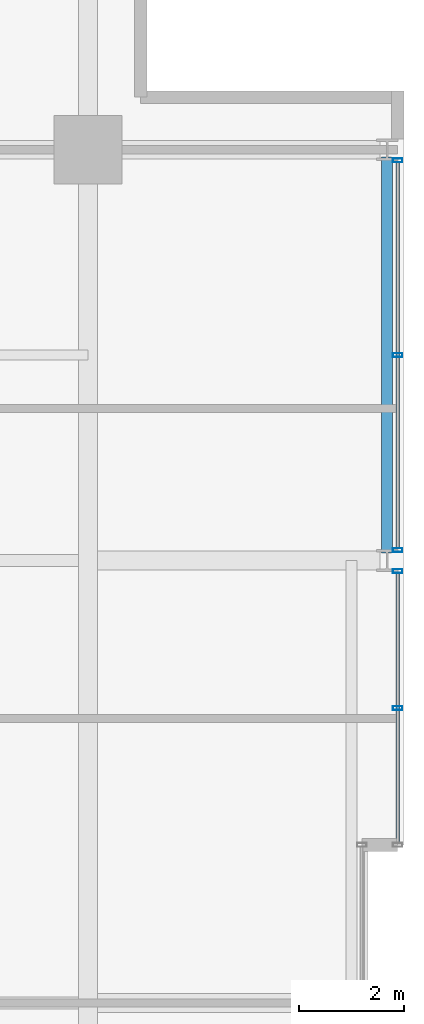
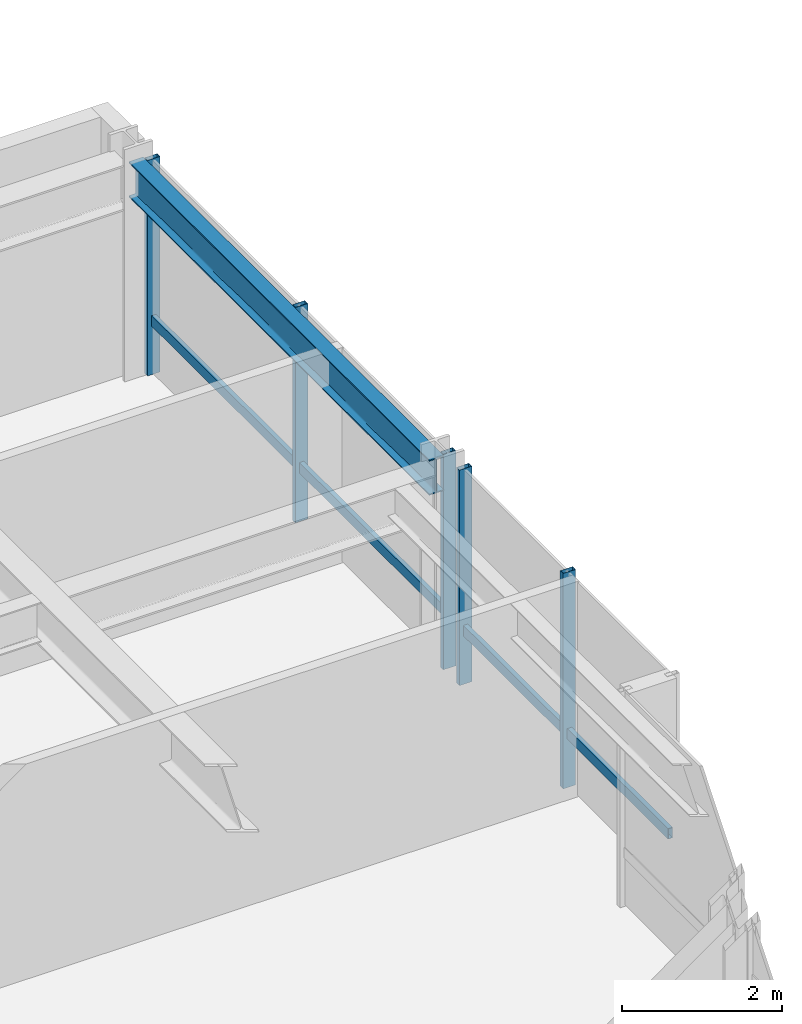
# One storey, part 23 of 33: 7 members, 1 beam, 2 elements without a shape of their own.
"""IFC4 building model written with IfcOpenShell, lengths in metres."""

from ifc_helpers import new_model, si_unit, direction, frame, origin, origin_2d, place, context, subcontext, project, spatial, hollow_rectangle, i_section, extrude, material, layer, layer_set, material_profile, profile_set, type_object, element, aggregate, save


model = new_model("IFC4")

# Units and contexts
model_context = context("Model", 3, precision=1e-05, world=origin(), true_north=direction((0.0, 1.0)))
body_context = subcontext(model_context, "Body", "Model", "MODEL_VIEW")
ifc_project = project(units=[si_unit("LENGTHUNIT", "METRE"), si_unit("AREAUNIT", "SQUARE_METRE"), si_unit("VOLUMEUNIT", "CUBIC_METRE"), si_unit("PLANEANGLEUNIT", "RADIAN"), si_unit("MASSUNIT", "GRAM", prefix="KILO")], contexts=[model_context])

# Site, building, storey
site_placement = place(None, origin())
site = spatial("IfcSite", under=ifc_project, at=site_placement, CompositionType="ELEMENT")
building_placement = place(site_placement, origin())
building = spatial("IfcBuilding", under=site, at=building_placement, Name="Drelvath Grand Hotel", CompositionType="ELEMENT")
storey_placement = place(building_placement, frame((0.0, 0.0, 153.949951171875)))
storey = spatial("IfcBuildingStorey", under=building, at=storey_placement, Name="L39", CompositionType="ELEMENT", Elevation=153.949951171875)

# Curtain wall, member
ifc_material_1 = material(Name="Brushed Pale-Silver Anodised Aluminium Frame", Category="aluminium")
ifc_layer = layer(ifc_material_1, 0.199951171875)
ifc_layer_set = layer_set([ifc_layer], Name="Brushed Pale-Silver Anodised Aluminium Frame")
curtain_wall_type = type_object("IfcCurtainWallType", Name="Stick Curtain Wall CW-04 Brushed Silver Upper-Mid", PredefinedType="NOTDEFINED", material=ifc_layer_set)
curtain_wall_1_placement = place(storey_placement, origin())
curtain_wall_1 = element("IfcCurtainWall", 1, at=curtain_wall_1_placement, inside=storey, type_object=curtain_wall_type, Name="L39 CW-04 Curtain Wall CW04-L39-EN1", PredefinedType="NOTDEFINED")
ifc_material_profile_1 = material_profile(ifc_material_1, hollow_rectangle(XDim=0.06494140625, YDim=0.159912109375, WallThickness=0.00390625, at=origin_2d()), Name="HSS160X65X4")
ifc_profile_set_1 = profile_set([ifc_material_profile_1], Name="Brushed Pale-Silver Anodised Aluminium Frame")
member_type_1 = type_object("IfcMemberType", Name="Curtain Wall Horizontal Transom CW-04 HSS160X65X4", PredefinedType="USERDEFINED", material=ifc_profile_set_1)
member_1_placement = place(storey_placement, frame((22.080078125, 35.159912109375, 0.822509765625), z_axis=(0.0, -1.0, 0.0), x_axis=(1.0, 0.0, 0.0)))
member_1 = element("IfcMember", 2, at=member_1_placement, type_object=member_type_1, Name="CW04-L39-EN1 Sill Transom", ObjectType="TRANSOM", PredefinedType="USERDEFINED", context=body_context, shape_type="SweptSolid", body=[
    extrude(hollow_rectangle(XDim=0.06494140625, YDim=0.159912109375, WallThickness=0.00390625, at=origin_2d()), origin(), (0.0, 0.0, 1.0), 5.119873046875),
])

curtain_wall_2_placement = place(storey_placement, origin())
curtain_wall_2 = element("IfcCurtainWall", 3, at=curtain_wall_2_placement, inside=storey, type_object=curtain_wall_type, Name="L39 CW-04 Curtain Wall CW04-L39-EN2", PredefinedType="NOTDEFINED")
member_2_placement = place(storey_placement, frame((22.080078125, 42.9599609375, 0.822509765625), z_axis=(0.0, -1.0, 0.0), x_axis=(1.0, 0.0, 0.0)))
member_2 = element("IfcMember", 4, at=member_2_placement, type_object=member_type_1, Name="CW04-L39-EN2 Sill Transom", ObjectType="TRANSOM", PredefinedType="USERDEFINED", context=body_context, shape_type="SweptSolid", body=[
    extrude(hollow_rectangle(XDim=0.06494140625, YDim=0.159912109375, WallThickness=0.00390625, at=origin_2d()), origin(), (0.0, 0.0, 1.0), 7.320068359375),
])

# Member
ifc_material_profile_2 = material_profile(ifc_material_1, hollow_rectangle(XDim=0.074951171875, YDim=0.179931640625, WallThickness=0.0048828125, at=origin_2d()), Name="HSS180X75X5")
ifc_profile_set_2 = profile_set([ifc_material_profile_2], Name="Brushed Pale-Silver Anodised Aluminium Frame")
member_type_2 = type_object("IfcMemberType", Name="Curtain Wall Vertical Mullion CW-04 HSS180X75X5", PredefinedType="MULLION", material=ifc_profile_set_2)
member_3_placement = place(storey_placement, frame((22.080078125, 35.199951171875, 0.0), z_axis=(0.0, 0.0, 1.0), x_axis=(0.0, 1.0, 0.0)))
member_3 = element("IfcMember", 5, at=member_3_placement, type_object=member_type_2, Name="CW04-L39-EN1 Mullion 1", PredefinedType="MULLION", context=body_context, shape_type="SweptSolid", body=[
    extrude(hollow_rectangle(XDim=0.074951171875, YDim=0.179931640625, WallThickness=0.0048828125, at=origin_2d()), origin(), (0.0, 0.0, 1.0), 3.2900390625),
])

member_4_placement = place(storey_placement, frame((22.080078125, 32.60009765625, 0.0), z_axis=(0.0, 0.0, 1.0), x_axis=(0.0, 1.0, 0.0)))
member_4 = element("IfcMember", 6, at=member_4_placement, type_object=member_type_2, Name="CW04-L39-EN1 Mullion 2", PredefinedType="MULLION", context=body_context, shape_type="SweptSolid", body=[
    extrude(hollow_rectangle(XDim=0.074951171875, YDim=0.179931640625, WallThickness=0.0048828125, at=origin_2d()), origin(), (0.0, 0.0, 1.0), 3.2900390625),
])

aggregate(curtain_wall_1, [member_3, member_4, member_1])

member_5_placement = place(storey_placement, frame((22.080078125, 43.0, 0.0), z_axis=(0.0, 0.0, 1.0), x_axis=(0.0, 1.0, 0.0)))
member_5 = element("IfcMember", 7, at=member_5_placement, type_object=member_type_2, Name="CW04-L39-EN2 Mullion 1", PredefinedType="MULLION", context=body_context, shape_type="SweptSolid", body=[
    extrude(hollow_rectangle(XDim=0.074951171875, YDim=0.179931640625, WallThickness=0.0048828125, at=origin_2d()), origin(), (0.0, 0.0, 1.0), 3.2900390625),
])

member_6_placement = place(storey_placement, frame((22.080078125, 39.300048828125, 0.0), z_axis=(0.0, 0.0, 1.0), x_axis=(0.0, 1.0, 0.0)))
member_6 = element("IfcMember", 8, at=member_6_placement, type_object=member_type_2, Name="CW04-L39-EN2 Mullion 2", PredefinedType="MULLION", context=body_context, shape_type="SweptSolid", body=[
    extrude(hollow_rectangle(XDim=0.074951171875, YDim=0.179931640625, WallThickness=0.0048828125, at=origin_2d()), origin(), (0.0, 0.0, 1.0), 3.2900390625),
])

member_7_placement = place(storey_placement, frame((22.080078125, 35.60009765625, 0.0), z_axis=(0.0, 0.0, 1.0), x_axis=(0.0, 1.0, 0.0)))
member_7 = element("IfcMember", 9, at=member_7_placement, type_object=member_type_2, Name="CW04-L39-EN2 Mullion 3", PredefinedType="MULLION", context=body_context, shape_type="SweptSolid", body=[
    extrude(hollow_rectangle(XDim=0.074951171875, YDim=0.179931640625, WallThickness=0.0048828125, at=origin_2d()), origin(), (0.0, 0.0, 1.0), 3.2900390625),
])

aggregate(curtain_wall_2, [member_5, member_6, member_7, member_2])

# Beam
ifc_material_2 = material(Name="Steel ASTM A992 Gr 50", Category="steel")
ifc_material_profile_3 = material_profile(ifc_material_2, i_section(OverallWidth=0.210205078125, OverallDepth=0.53662109375, WebThickness=0.010986328125, FlangeThickness=0.017333984375, FilletRadius=0.01806640625, at=origin_2d()), Name="W21X68")
ifc_profile_set_3 = profile_set([ifc_material_profile_3], Name="Steel ASTM A992 Gr 50")
beam_type = type_object("IfcBeamType", Name="Perimeter Spandrel Beam W21X68", PredefinedType="SPANDREL", material=ifc_profile_set_3)
beam_placement = place(storey_placement, frame((21.8798828125, 35.5400390625, 3.021728515625), z_axis=(0.0, 1.0, 0.0), x_axis=(-1.0, 0.0, 0.0)))
element("IfcBeam", 10, at=beam_placement, inside=storey, type_object=beam_type, Name="L39 Spandrel East N", PredefinedType="SPANDREL", context=body_context, shape_type="SweptSolid", body=[
    extrude(i_section(OverallWidth=0.210205078125, OverallDepth=0.53662109375, WebThickness=0.010986328125, FlangeThickness=0.017333984375, FilletRadius=0.01806640625, at=origin_2d()), origin(), (0.0, 0.0, 1.0), 7.52001953125),
])

save(model, "model.ifc")
